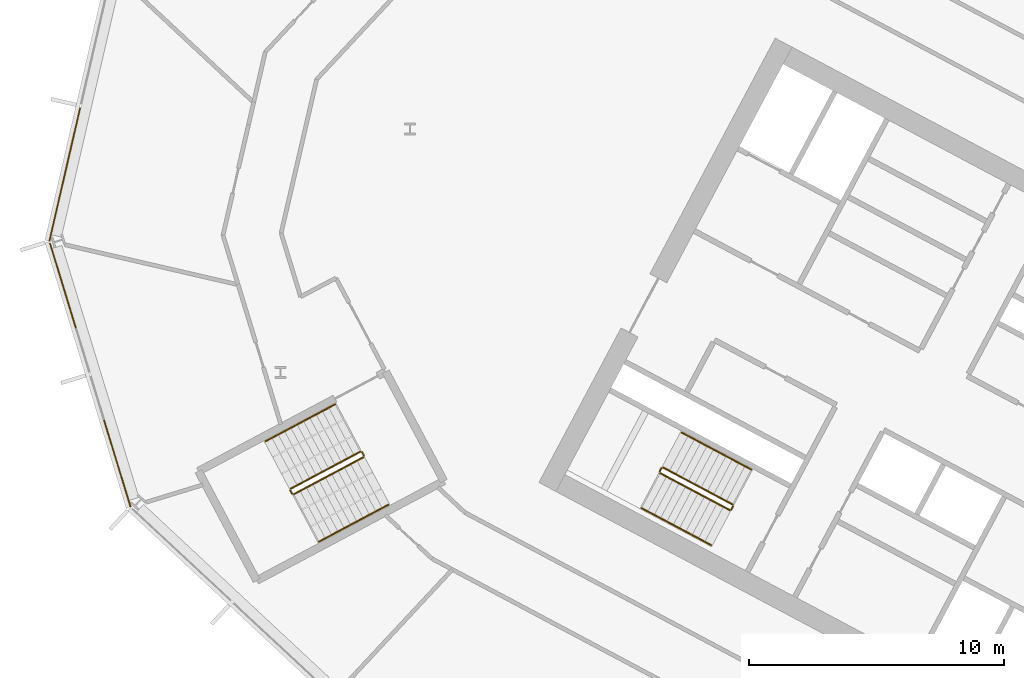
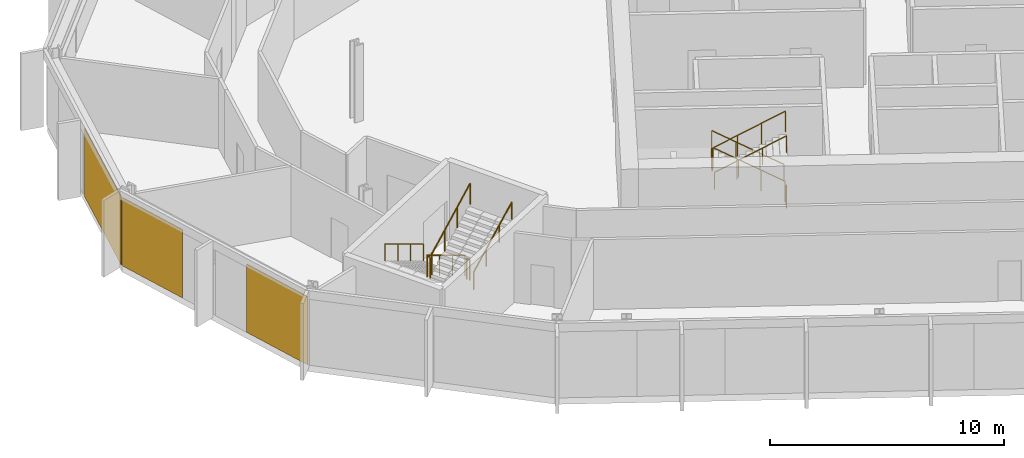
# One storey, part 21 of 28: 12 railings, 3 coverings, 2 elements without a shape of their own.
"""IFC4 building model written with IfcOpenShell, lengths in metres."""

from ifc_helpers import new_model, si_unit, direction, frame, origin, origin_2d, place, context, subcontext, project, spatial, polyline, rectangle, outline, extrude, material, layer, layer_set, type_object, element, aggregate, save


model = new_model("IFC4")

# Units and contexts
model_context = context("Model", 3, precision=1e-05, world=origin(), true_north=direction((0.0, 1.0)))
body_context = subcontext(model_context, "Body", "Model", "MODEL_VIEW")
ifc_project = project(units=[si_unit("LENGTHUNIT", "METRE"), si_unit("AREAUNIT", "SQUARE_METRE"), si_unit("VOLUMEUNIT", "CUBIC_METRE"), si_unit("PLANEANGLEUNIT", "RADIAN"), si_unit("MASSUNIT", "GRAM", prefix="KILO")], contexts=[model_context])

# Site, building, storey
site_placement = place(None, origin())
site = spatial("IfcSite", under=ifc_project, at=site_placement, CompositionType="ELEMENT")
building_placement = place(site_placement, origin())
building = spatial("IfcBuilding", under=site, at=building_placement, Name="Cormorant Relay Tower", CompositionType="ELEMENT")
storey_placement = place(building_placement, frame((0.0, 0.0, 154.199951171875)))
storey = spatial("IfcBuildingStorey", under=building, at=storey_placement, Name="L32", CompositionType="ELEMENT", Elevation=154.199951171875)

# Curtain wall, covering
ifc_material_1 = material(Name="Aluminium 6063-T6 anodised bronze", Category="aluminium")
ifc_layer_1 = layer(ifc_material_1, 0.199951171875)
ifc_layer_set_1 = layer_set([ifc_layer_1], Name="CW1 unitised bronze curtain wall with vertical fins")
curtain_wall_type = type_object("IfcCurtainWallType", Name="CW1 unitised bronze curtain wall with vertical fins", PredefinedType="NOTDEFINED", material=ifc_layer_set_1)
curtain_wall_1_placement = place(storey_placement, origin())
curtain_wall_1 = element("IfcCurtainWall", 1, at=curtain_wall_1_placement, inside=storey, type_object=curtain_wall_type, Name="CW1 curtain wall 13", PredefinedType="NOTDEFINED")
ifc_material_2 = material(Name="Pale bronze anodised aluminium insulated panel", Category="aluminium")
ifc_layer_2 = layer(ifc_material_2, 0.0400390625)
ifc_layer_set_2 = layer_set([ifc_layer_2], Name="CW1 pale bronze insulated panel 40")
covering_type = type_object("IfcCoveringType", Name="CW1 pale bronze insulated panel 40", PredefinedType="CLADDING", material=ifc_layer_set_2)
covering_1_placement = place(storey_placement, frame((-60.136474609375, 23.00927734375, 0.0), z_axis=(0.0, 0.0, 1.0), x_axis=(-0.224951054344, -0.974370064785, 0.0)))
covering_1 = element("IfcCovering", 2, at=covering_1_placement, type_object=covering_type, Name="CW1 panel S02", PredefinedType="CLADDING", context=body_context, shape_type="SweptSolid", body=[
    extrude(rectangle(XDim=5.360107421875, YDim=0.0400390625, at=origin_2d()), origin(), (0.0, 0.0, 1.0), 3.550048828125),
])
aggregate(curtain_wall_1, [covering_1])

# Curtain wall, coverings
curtain_wall_2_placement = place(storey_placement, origin())
curtain_wall_2 = element("IfcCurtainWall", 3, at=curtain_wall_2_placement, inside=storey, type_object=curtain_wall_type, Name="CW1 curtain wall 14", PredefinedType="NOTDEFINED")
covering_2_placement = place(storey_placement, frame((-60.20751953125, 18.6494140625, 0.0), z_axis=(0.0, 0.0, 1.0), x_axis=(0.292371704723, -0.956304755963, 0.0)))
covering_2 = element("IfcCovering", 4, at=covering_2_placement, type_object=covering_type, Name="CW1 panel S00", PredefinedType="CLADDING", context=body_context, shape_type="SweptSolid", body=[
    extrude(rectangle(XDim=3.485107421875, YDim=0.0400390625, at=origin_2d()), origin(), (0.0, 0.0, 1.0), 3.550048828125),
])
covering_3_placement = place(storey_placement, frame((-58.081298828125, 11.6943359375, 0.0), z_axis=(0.0, 0.0, 1.0), x_axis=(0.292371704723, -0.956304755963, 0.0)))
covering_3 = element("IfcCovering", 5, at=covering_3_placement, type_object=covering_type, Name="CW1 panel S03", PredefinedType="CLADDING", context=body_context, shape_type="SweptSolid", body=[
    extrude(rectangle(XDim=3.560302734375, YDim=0.0400390625, at=origin_2d()), origin(), (0.0, 0.0, 1.0), 3.550048828125),
])
aggregate(curtain_wall_2, [covering_2, covering_3])

# Railings
ifc_material_3 = material(Name="Steel ASTM A572 Grade 50 (Fy 345 MPa)", Category="steel")
railing_type_1 = type_object("IfcRailingType", Name="Stair guard 1100", PredefinedType="GUARDRAIL", material=ifc_material_3)
railing_1_placement = place(storey_placement, frame((-33.9921875, 10.08935546875, 0.166748046875)))
element("IfcRailing", 6, at=railing_1_placement, inside=storey, type_object=railing_type_1, Name="L32 A2 stair guard 1", PredefinedType="GUARDRAIL", context=body_context, shape_type="SweptSolid", body=[
    extrude(outline(polyline([(0.022216796875, 0.00927734375), (0.00927734375, 0.022216796875), (-0.00927734375, 0.022216796875), (-0.022216796875, 0.00927734375), (-0.022216796875, -0.00927734375), (-0.00927734375, -0.022216796875), (0.00927734375, -0.022216796875), (0.022216796875, -0.00927734375), (0.022216796875, 0.00927734375)])), frame((0.0, 0.0, 1.076171875), z_axis=(-0.758713656843, 0.403434867536, 0.511462505542), x_axis=(-0.469489399267, -0.882938108802, 0.0)), (0.0, 0.0, 1.0), 3.584228515625),
    extrude(outline(polyline([(0.019287109375, 0.008056640625), (0.008056640625, 0.019287109375), (-0.008056640625, 0.019287109375), (-0.019287109375, 0.008056640625), (-0.019287109375, -0.008056640625), (-0.008056640625, -0.019287109375), (0.008056640625, -0.019287109375), (0.019287109375, -0.008056640625), (0.019287109375, 0.008056640625)])), origin(), (0.0, 0.0, 1.0), 1.052001953125),
    extrude(outline(polyline([(0.019287109375, 0.008056640625), (0.008056640625, 0.019287109375), (-0.008056640625, 0.019287109375), (-0.019287109375, 0.008056640625), (-0.019287109375, -0.008056640625), (-0.008056640625, -0.019287109375), (0.008056640625, -0.019287109375), (0.019287109375, -0.008056640625), (0.019287109375, 0.008056640625)])), frame((-0.906494140625, 0.48193359375, 0.611083984375)), (0.0, 0.0, 1.0), 1.052001953125),
    extrude(outline(polyline([(0.019287109375, 0.008056640625), (0.008056640625, 0.019287109375), (-0.008056640625, 0.019287109375), (-0.019287109375, 0.008056640625), (-0.019287109375, -0.008056640625), (-0.008056640625, -0.019287109375), (0.008056640625, -0.019287109375), (0.019287109375, -0.008056640625), (0.019287109375, 0.008056640625)])), frame((-1.81298828125, 0.964111328125, 1.22216796875)), (0.0, 0.0, 1.0), 1.052001953125),
    extrude(outline(polyline([(0.019287109375, 0.008056640625), (0.008056640625, 0.019287109375), (-0.008056640625, 0.019287109375), (-0.019287109375, 0.008056640625), (-0.019287109375, -0.008056640625), (-0.008056640625, -0.019287109375), (0.008056640625, -0.019287109375), (0.019287109375, -0.008056640625), (0.019287109375, 0.008056640625)])), frame((-2.719482421875, 1.446044921875, 1.833251953125)), (0.0, 0.0, 1.0), 1.052001953125),
])
railing_2_placement = place(storey_placement, frame((-36.779296875, 11.5146484375, 2.0)))
element("IfcRailing", 7, at=railing_2_placement, inside=storey, type_object=railing_type_1, Name="L32 A2 stair guard 2", PredefinedType="GUARDRAIL", context=body_context, shape_type="SweptSolid", body=[
    extrude(outline(polyline([(0.022216796875, 0.00927734375), (0.00927734375, 0.022216796875), (-0.00927734375, 0.022216796875), (-0.022216796875, 0.00927734375), (-0.022216796875, -0.00927734375), (-0.00927734375, -0.022216796875), (0.00927734375, -0.022216796875), (0.022216796875, -0.00927734375), (0.022216796875, 0.00927734375)])), frame((0.0, 0.0, 1.076171875), z_axis=(-0.469234640946, -0.883073525669, 0.0), x_axis=(0.883073525669, -0.469234640946, 0.0)), (0.0, 0.0, 1.0), 0.14990234375),
    extrude(outline(polyline([(0.019287109375, 0.008056640625), (0.008056640625, 0.019287109375), (-0.008056640625, 0.019287109375), (-0.019287109375, 0.008056640625), (-0.019287109375, -0.008056640625), (-0.008056640625, -0.019287109375), (0.008056640625, -0.019287109375), (0.019287109375, -0.008056640625), (0.019287109375, 0.008056640625)])), origin(), (0.0, 0.0, 1.0), 1.052001953125),
    extrude(outline(polyline([(0.019287109375, 0.008056640625), (0.008056640625, 0.019287109375), (-0.008056640625, 0.019287109375), (-0.019287109375, 0.008056640625), (-0.019287109375, -0.008056640625), (-0.008056640625, -0.019287109375), (0.008056640625, -0.019287109375), (0.019287109375, -0.008056640625), (0.019287109375, 0.008056640625)])), frame((-0.0703125, -0.13232421875, 0.0)), (0.0, 0.0, 1.0), 1.052001953125),
])
railing_3_placement = place(storey_placement, frame((-36.8291015625, 11.314697265625, 2.166748046875)))
element("IfcRailing", 8, at=railing_3_placement, inside=storey, type_object=railing_type_1, Name="L32 A2 stair guard 3", PredefinedType="GUARDRAIL", context=body_context, shape_type="SweptSolid", body=[
    extrude(outline(polyline([(0.022216796875, 0.00927734375), (0.00927734375, 0.022216796875), (-0.00927734375, 0.022216796875), (-0.022216796875, 0.00927734375), (-0.022216796875, -0.00927734375), (-0.00927734375, -0.022216796875), (0.00927734375, -0.022216796875), (0.022216796875, -0.00927734375), (0.022216796875, 0.00927734375)])), frame((0.0, 0.0, 1.076171875), z_axis=(0.758713656843, -0.403434867536, 0.511462505542), x_axis=(0.469489399267, 0.882938108802, 0.0)), (0.0, 0.0, 1.0), 3.584228515625),
    extrude(outline(polyline([(0.019287109375, 0.008056640625), (0.008056640625, 0.019287109375), (-0.008056640625, 0.019287109375), (-0.019287109375, 0.008056640625), (-0.019287109375, -0.008056640625), (-0.008056640625, -0.019287109375), (0.008056640625, -0.019287109375), (0.019287109375, -0.008056640625), (0.019287109375, 0.008056640625)])), origin(), (0.0, 0.0, 1.0), 1.052001953125),
    extrude(outline(polyline([(0.019287109375, 0.008056640625), (0.008056640625, 0.019287109375), (-0.008056640625, 0.019287109375), (-0.019287109375, 0.008056640625), (-0.019287109375, -0.008056640625), (-0.008056640625, -0.019287109375), (0.008056640625, -0.019287109375), (0.019287109375, -0.008056640625), (0.019287109375, 0.008056640625)])), frame((0.906494140625, -0.48193359375, 0.611083984375)), (0.0, 0.0, 1.0), 1.052001953125),
    extrude(outline(polyline([(0.019287109375, 0.008056640625), (0.008056640625, 0.019287109375), (-0.008056640625, 0.019287109375), (-0.019287109375, 0.008056640625), (-0.019287109375, -0.008056640625), (-0.008056640625, -0.019287109375), (0.008056640625, -0.019287109375), (0.019287109375, -0.008056640625), (0.019287109375, 0.008056640625)])), frame((1.81298828125, -0.964111328125, 1.22216796875)), (0.0, 0.0, 1.0), 1.052001953125),
    extrude(outline(polyline([(0.019287109375, 0.008056640625), (0.008056640625, 0.019287109375), (-0.008056640625, 0.019287109375), (-0.019287109375, 0.008056640625), (-0.019287109375, -0.008056640625), (-0.008056640625, -0.019287109375), (0.008056640625, -0.019287109375), (0.019287109375, -0.008056640625), (0.019287109375, 0.008056640625)])), frame((2.719482421875, -1.446044921875, 1.833251953125)), (0.0, 0.0, 1.0), 1.052001953125),
])
railing_4_placement = place(storey_placement, frame((-33.971435546875, 10.021728515625, 0.0)))
element("IfcRailing", 9, at=railing_4_placement, inside=storey, type_object=railing_type_1, Name="L32 A2 stair guard 4", PredefinedType="GUARDRAIL", context=body_context, shape_type="SweptSolid", body=[
    extrude(outline(polyline([(0.022216796875, 0.00927734375), (0.00927734375, 0.022216796875), (-0.00927734375, 0.022216796875), (-0.022216796875, 0.00927734375), (-0.022216796875, -0.00927734375), (-0.00927734375, -0.022216796875), (0.00927734375, -0.022216796875), (0.022216796875, -0.00927734375), (0.022216796875, 0.00927734375)])), frame((0.0, 0.0, 1.076171875), z_axis=(-0.470503732759, -0.882398003998, 0.0), x_axis=(0.882398003998, -0.470503732759, 0.0)), (0.0, 0.0, 1.0), 0.14990234375),
    extrude(outline(polyline([(0.019287109375, 0.008056640625), (0.008056640625, 0.019287109375), (-0.008056640625, 0.019287109375), (-0.019287109375, 0.008056640625), (-0.019287109375, -0.008056640625), (-0.008056640625, -0.019287109375), (0.008056640625, -0.019287109375), (0.019287109375, -0.008056640625), (0.019287109375, 0.008056640625)])), origin(), (0.0, 0.0, 1.0), 1.052001953125),
    extrude(outline(polyline([(0.019287109375, 0.008056640625), (0.008056640625, 0.019287109375), (-0.008056640625, 0.019287109375), (-0.019287109375, 0.008056640625), (-0.019287109375, -0.008056640625), (-0.008056640625, -0.019287109375), (0.008056640625, -0.019287109375), (0.019287109375, -0.008056640625), (0.019287109375, 0.008056640625)])), frame((-0.070556640625, -0.13232421875, 0.0)), (0.0, 0.0, 1.0), 1.052001953125),
])
railing_5_placement = place(storey_placement, frame((-48.5693359375, 12.155517578125, 0.166748046875)))
element("IfcRailing", 10, at=railing_5_placement, inside=storey, type_object=railing_type_1, Name="L32 RP1 stair guard 1", PredefinedType="GUARDRAIL", context=body_context, shape_type="SweptSolid", body=[
    extrude(outline(polyline([(0.022216796875, 0.00927734375), (0.00927734375, 0.022216796875), (-0.00927734375, 0.022216796875), (-0.022216796875, 0.00927734375), (-0.022216796875, -0.00927734375), (-0.00927734375, -0.022216796875), (0.00927734375, -0.022216796875), (0.022216796875, -0.00927734375), (0.022216796875, 0.00927734375)])), frame((0.0, 0.0, 1.076171875), z_axis=(-0.758713656843, -0.403434867536, 0.511462505542), x_axis=(0.469489399267, -0.882938108802, 0.0)), (0.0, 0.0, 1.0), 3.584228515625),
    extrude(outline(polyline([(0.019287109375, 0.008056640625), (0.008056640625, 0.019287109375), (-0.008056640625, 0.019287109375), (-0.019287109375, 0.008056640625), (-0.019287109375, -0.008056640625), (-0.008056640625, -0.019287109375), (0.008056640625, -0.019287109375), (0.019287109375, -0.008056640625), (0.019287109375, 0.008056640625)])), origin(), (0.0, 0.0, 1.0), 1.052001953125),
    extrude(outline(polyline([(0.019287109375, 0.008056640625), (0.008056640625, 0.019287109375), (-0.008056640625, 0.019287109375), (-0.019287109375, 0.008056640625), (-0.019287109375, -0.008056640625), (-0.008056640625, -0.019287109375), (0.008056640625, -0.019287109375), (0.019287109375, -0.008056640625), (0.019287109375, 0.008056640625)])), frame((-0.906494140625, -0.48193359375, 0.611083984375)), (0.0, 0.0, 1.0), 1.052001953125),
    extrude(outline(polyline([(0.019287109375, 0.008056640625), (0.008056640625, 0.019287109375), (-0.008056640625, 0.019287109375), (-0.019287109375, 0.008056640625), (-0.019287109375, -0.008056640625), (-0.008056640625, -0.019287109375), (0.008056640625, -0.019287109375), (0.019287109375, -0.008056640625), (0.019287109375, 0.008056640625)])), frame((-1.81298828125, -0.964111328125, 1.22216796875)), (0.0, 0.0, 1.0), 1.052001953125),
    extrude(outline(polyline([(0.019287109375, 0.008056640625), (0.008056640625, 0.019287109375), (-0.008056640625, 0.019287109375), (-0.019287109375, 0.008056640625), (-0.019287109375, -0.008056640625), (-0.008056640625, -0.019287109375), (0.008056640625, -0.019287109375), (0.019287109375, -0.008056640625), (0.019287109375, 0.008056640625)])), frame((-2.719482421875, -1.446044921875, 1.833251953125)), (0.0, 0.0, 1.0), 1.052001953125),
])
railing_6_placement = place(storey_placement, frame((-51.3095703125, 10.641845703125, 2.0)))
element("IfcRailing", 11, at=railing_6_placement, inside=storey, type_object=railing_type_1, Name="L32 RP1 stair guard 2", PredefinedType="GUARDRAIL", context=body_context, shape_type="SweptSolid", body=[
    extrude(outline(polyline([(0.022216796875, 0.00927734375), (0.00927734375, 0.022216796875), (-0.00927734375, 0.022216796875), (-0.022216796875, 0.00927734375), (-0.022216796875, -0.00927734375), (-0.00927734375, -0.022216796875), (0.00927734375, -0.022216796875), (0.022216796875, -0.00927734375), (0.022216796875, 0.00927734375)])), frame((0.0, 0.0, 1.076171875), z_axis=(0.469828648786, -0.882757634224, 0.0), x_axis=(0.882757634224, 0.469828648786, 0.0)), (0.0, 0.0, 1.0), 0.150146484375),
    extrude(outline(polyline([(0.019287109375, 0.008056640625), (0.008056640625, 0.019287109375), (-0.008056640625, 0.019287109375), (-0.019287109375, 0.008056640625), (-0.019287109375, -0.008056640625), (-0.008056640625, -0.019287109375), (0.008056640625, -0.019287109375), (0.019287109375, -0.008056640625), (0.019287109375, 0.008056640625)])), origin(), (0.0, 0.0, 1.0), 1.052001953125),
    extrude(outline(polyline([(0.019287109375, 0.008056640625), (0.008056640625, 0.019287109375), (-0.008056640625, 0.019287109375), (-0.019287109375, 0.008056640625), (-0.019287109375, -0.008056640625), (-0.008056640625, -0.019287109375), (0.008056640625, -0.019287109375), (0.019287109375, -0.008056640625), (0.019287109375, 0.008056640625)])), frame((0.070556640625, -0.132568359375, 0.0)), (0.0, 0.0, 1.0), 1.052001953125),
])
railing_7_placement = place(storey_placement, frame((-51.17138671875, 10.48876953125, 2.166748046875)))
element("IfcRailing", 12, at=railing_7_placement, inside=storey, type_object=railing_type_1, Name="L32 RP1 stair guard 3", PredefinedType="GUARDRAIL", context=body_context, shape_type="SweptSolid", body=[
    extrude(outline(polyline([(0.022216796875, 0.00927734375), (0.00927734375, 0.022216796875), (-0.00927734375, 0.022216796875), (-0.022216796875, 0.00927734375), (-0.022216796875, -0.00927734375), (-0.00927734375, -0.022216796875), (0.00927734375, -0.022216796875), (0.022216796875, -0.00927734375), (0.022216796875, 0.00927734375)])), frame((0.0, 0.0, 1.076171875), z_axis=(0.758734504837, 0.403377838015, 0.511476559549), x_axis=(-0.469427602063, 0.882970965786, 0.0)), (0.0, 0.0, 1.0), 3.584228515625),
    extrude(outline(polyline([(0.019287109375, 0.008056640625), (0.008056640625, 0.019287109375), (-0.008056640625, 0.019287109375), (-0.019287109375, 0.008056640625), (-0.019287109375, -0.008056640625), (-0.008056640625, -0.019287109375), (0.008056640625, -0.019287109375), (0.019287109375, -0.008056640625), (0.019287109375, 0.008056640625)])), origin(), (0.0, 0.0, 1.0), 1.052001953125),
    extrude(outline(polyline([(0.019287109375, 0.008056640625), (0.008056640625, 0.019287109375), (-0.008056640625, 0.019287109375), (-0.019287109375, 0.008056640625), (-0.019287109375, -0.008056640625), (-0.008056640625, -0.019287109375), (0.008056640625, -0.019287109375), (0.019287109375, -0.008056640625), (0.019287109375, 0.008056640625)])), frame((0.906494140625, 0.48193359375, 0.611083984375)), (0.0, 0.0, 1.0), 1.052001953125),
    extrude(outline(polyline([(0.019287109375, 0.008056640625), (0.008056640625, 0.019287109375), (-0.008056640625, 0.019287109375), (-0.019287109375, 0.008056640625), (-0.019287109375, -0.008056640625), (-0.008056640625, -0.019287109375), (0.008056640625, -0.019287109375), (0.019287109375, -0.008056640625), (0.019287109375, 0.008056640625)])), frame((1.81298828125, 0.9638671875, 1.22216796875)), (0.0, 0.0, 1.0), 1.052001953125),
    extrude(outline(polyline([(0.019287109375, 0.008056640625), (0.008056640625, 0.019287109375), (-0.008056640625, 0.019287109375), (-0.019287109375, 0.008056640625), (-0.019287109375, -0.008056640625), (-0.008056640625, -0.019287109375), (0.008056640625, -0.019287109375), (0.019287109375, -0.008056640625), (0.019287109375, 0.008056640625)])), frame((2.719482421875, 1.44580078125, 1.833251953125)), (0.0, 0.0, 1.0), 1.052001953125),
])
railing_8_placement = place(storey_placement, frame((-48.501708984375, 12.134765625, 0.0)))
element("IfcRailing", 13, at=railing_8_placement, inside=storey, type_object=railing_type_1, Name="L32 RP1 stair guard 4", PredefinedType="GUARDRAIL", context=body_context, shape_type="SweptSolid", body=[
    extrude(outline(polyline([(0.022216796875, 0.00927734375), (0.00927734375, 0.022216796875), (-0.00927734375, 0.022216796875), (-0.022216796875, 0.00927734375), (-0.022216796875, -0.00927734375), (-0.00927734375, -0.022216796875), (0.00927734375, -0.022216796875), (0.022216796875, -0.00927734375), (0.022216796875, 0.00927734375)])), frame((0.0, 0.0, 1.076171875), z_axis=(0.46856034887, -0.8834314911, 0.0), x_axis=(0.8834314911, 0.46856034887, 0.0)), (0.0, 0.0, 1.0), 0.150146484375),
    extrude(outline(polyline([(0.019287109375, 0.008056640625), (0.008056640625, 0.019287109375), (-0.008056640625, 0.019287109375), (-0.019287109375, 0.008056640625), (-0.019287109375, -0.008056640625), (-0.008056640625, -0.019287109375), (0.008056640625, -0.019287109375), (0.019287109375, -0.008056640625), (0.019287109375, 0.008056640625)])), origin(), (0.0, 0.0, 1.0), 1.052001953125),
    extrude(outline(polyline([(0.019287109375, 0.008056640625), (0.008056640625, 0.019287109375), (-0.008056640625, 0.019287109375), (-0.019287109375, 0.008056640625), (-0.019287109375, -0.008056640625), (-0.008056640625, -0.019287109375), (0.008056640625, -0.019287109375), (0.019287109375, -0.008056640625), (0.019287109375, 0.008056640625)])), frame((0.0703125, -0.132568359375, 0.0)), (0.0, 0.0, 1.0), 1.052001953125),
])
ifc_material_4 = material(Name="Steel ASTM A572 Grade 50 (Fy 345 MPa)", Category="steel")
railing_type_2 = type_object("IfcRailingType", Name="Stair handrail 900", PredefinedType="HANDRAIL", material=ifc_material_4)
railing_9_placement = place(storey_placement, frame((-33.264404296875, 11.4580078125, 0.166748046875)))
element("IfcRailing", 14, at=railing_9_placement, inside=storey, type_object=railing_type_2, Name="L32 A2 stair handrail 1", PredefinedType="HANDRAIL", context=body_context, shape_type="SweptSolid", body=[
    extrude(outline(polyline([(0.022216796875, 0.00927734375), (0.00927734375, 0.022216796875), (-0.00927734375, 0.022216796875), (-0.022216796875, 0.00927734375), (-0.022216796875, -0.00927734375), (-0.00927734375, -0.022216796875), (0.00927734375, -0.022216796875), (0.022216796875, -0.00927734375), (0.022216796875, 0.00927734375)])), frame((0.0, 0.0, 0.8759765625), z_axis=(-0.758734504837, 0.403377838015, 0.511476559549), x_axis=(-0.469427602063, -0.882970965786, 0.0)), (0.0, 0.0, 1.0), 3.584228515625),
    extrude(outline(polyline([(0.019287109375, 0.008056640625), (0.008056640625, 0.019287109375), (-0.008056640625, 0.019287109375), (-0.019287109375, 0.008056640625), (-0.019287109375, -0.008056640625), (-0.008056640625, -0.019287109375), (0.008056640625, -0.019287109375), (0.019287109375, -0.008056640625), (0.019287109375, 0.008056640625)])), origin(), (0.0, 0.0, 1.0), 0.851806640625),
    extrude(outline(polyline([(0.019287109375, 0.008056640625), (0.008056640625, 0.019287109375), (-0.008056640625, 0.019287109375), (-0.019287109375, 0.008056640625), (-0.019287109375, -0.008056640625), (-0.008056640625, -0.019287109375), (0.008056640625, -0.019287109375), (0.019287109375, -0.008056640625), (0.019287109375, 0.008056640625)])), frame((-0.906494140625, 0.48193359375, 0.611083984375)), (0.0, 0.0, 1.0), 0.851806640625),
    extrude(outline(polyline([(0.019287109375, 0.008056640625), (0.008056640625, 0.019287109375), (-0.008056640625, 0.019287109375), (-0.019287109375, 0.008056640625), (-0.019287109375, -0.008056640625), (-0.008056640625, -0.019287109375), (0.008056640625, -0.019287109375), (0.019287109375, -0.008056640625), (0.019287109375, 0.008056640625)])), frame((-1.81298828125, 0.9638671875, 1.22216796875)), (0.0, 0.0, 1.0), 0.851806640625),
    extrude(outline(polyline([(0.019287109375, 0.008056640625), (0.008056640625, 0.019287109375), (-0.008056640625, 0.019287109375), (-0.019287109375, 0.008056640625), (-0.019287109375, -0.008056640625), (-0.008056640625, -0.019287109375), (0.008056640625, -0.019287109375), (0.019287109375, -0.008056640625), (0.019287109375, 0.008056640625)])), frame((-2.719482421875, 1.44580078125, 1.833251953125)), (0.0, 0.0, 1.0), 0.851806640625),
])
railing_10_placement = place(storey_placement, frame((-37.556640625, 9.946044921875, 2.166748046875)))
element("IfcRailing", 15, at=railing_10_placement, inside=storey, type_object=railing_type_2, Name="L32 A2 stair handrail 2", PredefinedType="HANDRAIL", context=body_context, shape_type="SweptSolid", body=[
    extrude(outline(polyline([(0.022216796875, 0.00927734375), (0.00927734375, 0.022216796875), (-0.00927734375, 0.022216796875), (-0.022216796875, 0.00927734375), (-0.022216796875, -0.00927734375), (-0.00927734375, -0.022216796875), (0.00927734375, -0.022216796875), (0.022216796875, -0.00927734375), (0.022216796875, 0.00927734375)])), frame((0.0, 0.0, 0.8759765625), z_axis=(0.758713656843, -0.403434867536, 0.511462505542), x_axis=(0.469489399267, 0.882938108802, 0.0)), (0.0, 0.0, 1.0), 3.584228515625),
    extrude(outline(polyline([(0.019287109375, 0.008056640625), (0.008056640625, 0.019287109375), (-0.008056640625, 0.019287109375), (-0.019287109375, 0.008056640625), (-0.019287109375, -0.008056640625), (-0.008056640625, -0.019287109375), (0.008056640625, -0.019287109375), (0.019287109375, -0.008056640625), (0.019287109375, 0.008056640625)])), origin(), (0.0, 0.0, 1.0), 0.851806640625),
    extrude(outline(polyline([(0.019287109375, 0.008056640625), (0.008056640625, 0.019287109375), (-0.008056640625, 0.019287109375), (-0.019287109375, 0.008056640625), (-0.019287109375, -0.008056640625), (-0.008056640625, -0.019287109375), (0.008056640625, -0.019287109375), (0.019287109375, -0.008056640625), (0.019287109375, 0.008056640625)])), frame((0.906494140625, -0.48193359375, 0.611083984375)), (0.0, 0.0, 1.0), 0.851806640625),
    extrude(outline(polyline([(0.019287109375, 0.008056640625), (0.008056640625, 0.019287109375), (-0.008056640625, 0.019287109375), (-0.019287109375, 0.008056640625), (-0.019287109375, -0.008056640625), (-0.008056640625, -0.019287109375), (0.008056640625, -0.019287109375), (0.019287109375, -0.008056640625), (0.019287109375, 0.008056640625)])), frame((1.81298828125, -0.964111328125, 1.22216796875)), (0.0, 0.0, 1.0), 0.851806640625),
    extrude(outline(polyline([(0.019287109375, 0.008056640625), (0.008056640625, 0.019287109375), (-0.008056640625, 0.019287109375), (-0.019287109375, 0.008056640625), (-0.019287109375, -0.008056640625), (-0.008056640625, -0.019287109375), (0.008056640625, -0.019287109375), (0.019287109375, -0.008056640625), (0.019287109375, 0.008056640625)])), frame((2.719482421875, -1.446044921875, 1.833251953125)), (0.0, 0.0, 1.0), 0.851806640625),
])
railing_11_placement = place(storey_placement, frame((-49.55517578125, 14.009521484375, 0.166748046875)))
element("IfcRailing", 16, at=railing_11_placement, inside=storey, type_object=railing_type_2, Name="L32 RP1 stair handrail 1", PredefinedType="HANDRAIL", context=body_context, shape_type="SweptSolid", body=[
    extrude(outline(polyline([(0.022216796875, 0.00927734375), (0.00927734375, 0.022216796875), (-0.00927734375, 0.022216796875), (-0.022216796875, 0.00927734375), (-0.022216796875, -0.00927734375), (-0.00927734375, -0.022216796875), (0.00927734375, -0.022216796875), (0.022216796875, -0.00927734375), (0.022216796875, 0.00927734375)])), frame((0.0, 0.0, 0.8759765625), z_axis=(-0.758734504837, -0.403377838015, 0.511476559549), x_axis=(0.469427602063, -0.882970965786, 0.0)), (0.0, 0.0, 1.0), 3.584228515625),
    extrude(outline(polyline([(0.019287109375, 0.008056640625), (0.008056640625, 0.019287109375), (-0.008056640625, 0.019287109375), (-0.019287109375, 0.008056640625), (-0.019287109375, -0.008056640625), (-0.008056640625, -0.019287109375), (0.008056640625, -0.019287109375), (0.019287109375, -0.008056640625), (0.019287109375, 0.008056640625)])), origin(), (0.0, 0.0, 1.0), 0.851806640625),
    extrude(outline(polyline([(0.019287109375, 0.008056640625), (0.008056640625, 0.019287109375), (-0.008056640625, 0.019287109375), (-0.019287109375, 0.008056640625), (-0.019287109375, -0.008056640625), (-0.008056640625, -0.019287109375), (0.008056640625, -0.019287109375), (0.019287109375, -0.008056640625), (0.019287109375, 0.008056640625)])), frame((-0.906494140625, -0.48193359375, 0.611083984375)), (0.0, 0.0, 1.0), 0.851806640625),
    extrude(outline(polyline([(0.019287109375, 0.008056640625), (0.008056640625, 0.019287109375), (-0.008056640625, 0.019287109375), (-0.019287109375, 0.008056640625), (-0.019287109375, -0.008056640625), (-0.008056640625, -0.019287109375), (0.008056640625, -0.019287109375), (0.019287109375, -0.008056640625), (0.019287109375, 0.008056640625)])), frame((-1.81298828125, -0.9638671875, 1.22216796875)), (0.0, 0.0, 1.0), 0.851806640625),
    extrude(outline(polyline([(0.019287109375, 0.008056640625), (0.008056640625, 0.019287109375), (-0.008056640625, 0.019287109375), (-0.019287109375, 0.008056640625), (-0.019287109375, -0.008056640625), (-0.008056640625, -0.019287109375), (0.008056640625, -0.019287109375), (0.019287109375, -0.008056640625), (0.019287109375, 0.008056640625)])), frame((-2.719482421875, -1.44580078125, 1.833251953125)), (0.0, 0.0, 1.0), 0.851806640625),
])
railing_12_placement = place(storey_placement, frame((-50.185546875, 8.634521484375, 2.166748046875)))
element("IfcRailing", 17, at=railing_12_placement, inside=storey, type_object=railing_type_2, Name="L32 RP1 stair handrail 2", PredefinedType="HANDRAIL", context=body_context, shape_type="SweptSolid", body=[
    extrude(outline(polyline([(0.022216796875, 0.00927734375), (0.00927734375, 0.022216796875), (-0.00927734375, 0.022216796875), (-0.022216796875, 0.00927734375), (-0.022216796875, -0.00927734375), (-0.00927734375, -0.022216796875), (0.00927734375, -0.022216796875), (0.022216796875, -0.00927734375), (0.022216796875, 0.00927734375)])), frame((0.0, 0.0, 0.8759765625), z_axis=(0.758713656843, 0.403434867536, 0.511462505542), x_axis=(-0.469489399267, 0.882938108802, 0.0)), (0.0, 0.0, 1.0), 3.584228515625),
    extrude(outline(polyline([(0.019287109375, 0.008056640625), (0.008056640625, 0.019287109375), (-0.008056640625, 0.019287109375), (-0.019287109375, 0.008056640625), (-0.019287109375, -0.008056640625), (-0.008056640625, -0.019287109375), (0.008056640625, -0.019287109375), (0.019287109375, -0.008056640625), (0.019287109375, 0.008056640625)])), origin(), (0.0, 0.0, 1.0), 0.851806640625),
    extrude(outline(polyline([(0.019287109375, 0.008056640625), (0.008056640625, 0.019287109375), (-0.008056640625, 0.019287109375), (-0.019287109375, 0.008056640625), (-0.019287109375, -0.008056640625), (-0.008056640625, -0.019287109375), (0.008056640625, -0.019287109375), (0.019287109375, -0.008056640625), (0.019287109375, 0.008056640625)])), frame((0.906494140625, 0.48193359375, 0.611083984375)), (0.0, 0.0, 1.0), 0.851806640625),
    extrude(outline(polyline([(0.019287109375, 0.008056640625), (0.008056640625, 0.019287109375), (-0.008056640625, 0.019287109375), (-0.019287109375, 0.008056640625), (-0.019287109375, -0.008056640625), (-0.008056640625, -0.019287109375), (0.008056640625, -0.019287109375), (0.019287109375, -0.008056640625), (0.019287109375, 0.008056640625)])), frame((1.81298828125, 0.964111328125, 1.22216796875)), (0.0, 0.0, 1.0), 0.851806640625),
    extrude(outline(polyline([(0.019287109375, 0.008056640625), (0.008056640625, 0.019287109375), (-0.008056640625, 0.019287109375), (-0.019287109375, 0.008056640625), (-0.019287109375, -0.008056640625), (-0.008056640625, -0.019287109375), (0.008056640625, -0.019287109375), (0.019287109375, -0.008056640625), (0.019287109375, 0.008056640625)])), frame((2.719482421875, 1.446044921875, 1.833251953125)), (0.0, 0.0, 1.0), 0.851806640625),
])

save(model, "model.ifc")
